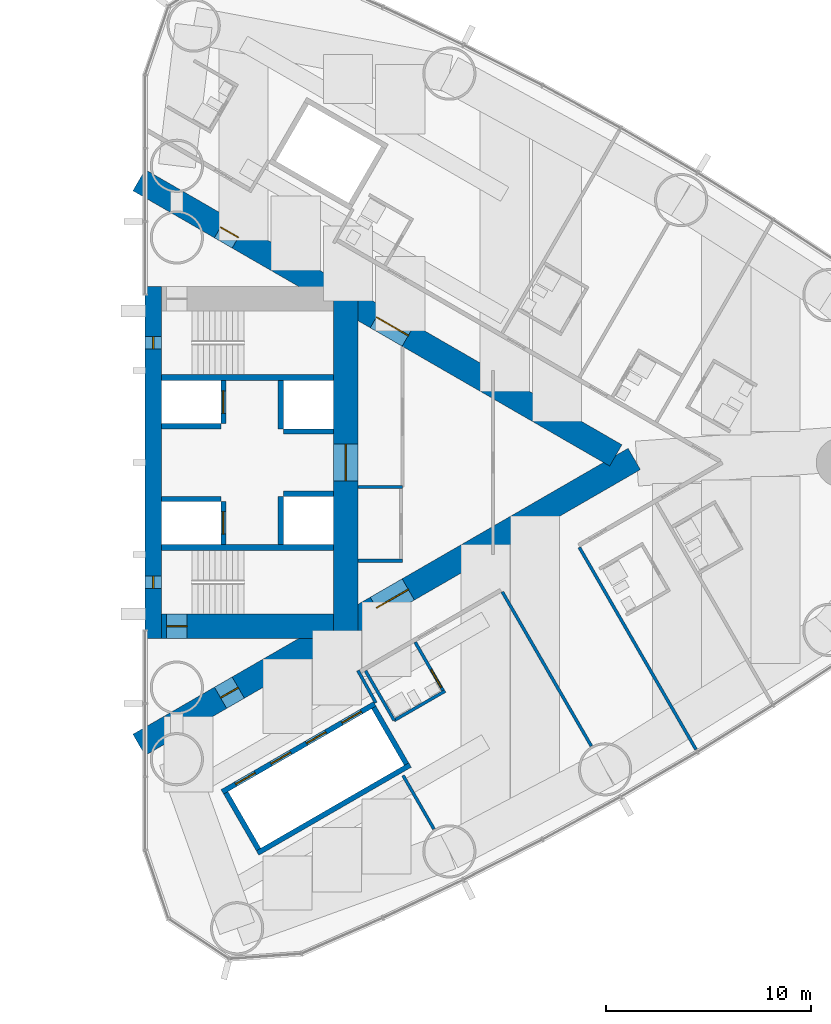
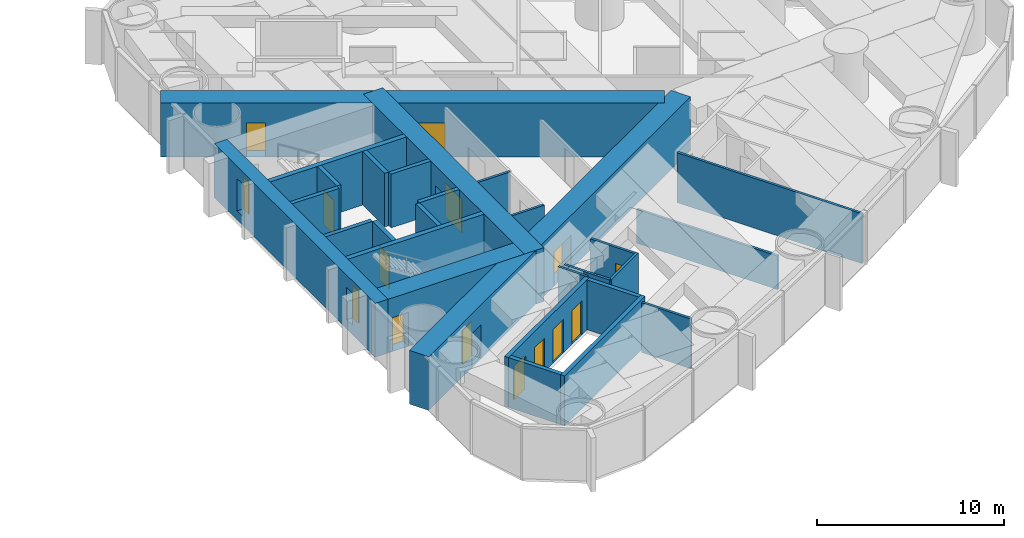
# One storey, part 13 of 18: 28 walls, 13 doors, 2 windows, 15 openings.
"""IFC4 building model written with IfcOpenShell, lengths in metres."""

from ifc_helpers import new_model, si_unit, direction, frame, frame_2d, origin, place, context, subcontext, project, spatial, rectangle, extrude, material, layer, layer_set, type_object, element, fill, save


model = new_model("IFC4")

# Units and contexts
model_context = context("Model", 3, precision=1e-05, world=origin(), true_north=direction((0.0, 1.0)))
body_context = subcontext(model_context, "Body", "Model", "MODEL_VIEW")
ifc_project = project(units=[si_unit("LENGTHUNIT", "METRE"), si_unit("AREAUNIT", "SQUARE_METRE"), si_unit("VOLUMEUNIT", "CUBIC_METRE"), si_unit("PLANEANGLEUNIT", "RADIAN"), si_unit("MASSUNIT", "GRAM", prefix="KILO")], contexts=[model_context])

# Site, building, storey
site_placement = place(None, origin())
site = spatial("IfcSite", under=ifc_project, at=site_placement, CompositionType="ELEMENT")
building_placement = place(site_placement, origin())
building = spatial("IfcBuilding", under=site, at=building_placement, Name="Lancet Gate Hotel", CompositionType="ELEMENT")
storey_placement = place(building_placement, frame((0.0, 0.0, 108.10009765625)))
storey = spatial("IfcBuildingStorey", under=building, at=storey_placement, Name="L28", CompositionType="ELEMENT", Elevation=108.10009765625)

# Wall
ifc_material_1 = material(Name="Moisture resistant board partition")
ifc_layer_1 = layer(ifc_material_1, 0.14990234375)
ifc_layer_set_1 = layer_set([ifc_layer_1], Name="Bathroom wall 150")
wall_type_1 = type_object("IfcWallType", Name="Bathroom wall 150", PredefinedType="PARTITIONING", material=ifc_layer_set_1)
wall_1_placement = place(storey_placement, frame((39.669921875, -12.60498046875, 0.0), z_axis=(0.0, 0.0, 1.0), x_axis=(0.866018712932, 0.500011588718, 0.0)))
element("IfcWall", 1, at=wall_1_placement, inside=storey, type_object=wall_type_1, Name="T2 bathroom wall 150 L28", PredefinedType="PARTITIONING", context=body_context, shape_type="SweptSolid", body=[
    extrude(rectangle(XDim=2.875, YDim=0.14990234375, at=frame_2d((1.4375, 0.0))), origin(), (0.0, 0.0, 1.0), 3.25),
])

# Wall, opening, door
wall_2_placement = place(storey_placement, frame((40.694580078125, -8.780029296875, 0.0), z_axis=(0.0, 0.0, 1.0), x_axis=(0.500049511043, -0.865996816683, 0.0)))
wall_2 = element("IfcWall", 2, at=wall_2_placement, inside=storey, type_object=wall_type_1, Name="T2 bathroom wall 150 L28", PredefinedType="PARTITIONING", context=body_context, shape_type="SweptSolid", body=[
    extrude(rectangle(XDim=2.800048828125, YDim=0.14990234375, at=frame_2d((1.39990234375, 0.0))), origin(), (0.0, 0.0, 1.0), 3.25),
])
opening_1_placement = place(wall_2_placement, frame((1.550048828125, 0.0, 0.0)))
opening_1 = element("IfcOpeningElement", 3, at=opening_1_placement, cuts=wall_2, Name="Opening 2853-B", PredefinedType="OPENING", context=body_context, shape_type="SweptSolid", body=[
    extrude(rectangle(XDim=1.0, YDim=2.199951171875, at=frame_2d((0.5, 1.10009765625))), frame((0.0, 0.0849609375, 0.0), z_axis=(0.0, -1.0, 0.0), x_axis=(1.0, 0.0, 0.0)), (0.0, 0.0, 1.0), 0.169921875),
])
ifc_material_2 = material(Name="Timber door set", Category="wood")
door_type_1 = type_object("IfcDoorType", Name="Accessible en-suite door 1000", OperationType="SINGLE_SWING_RIGHT", PredefinedType="DOOR", material=ifc_material_2)
door_1_placement = place(opening_1_placement, origin())
door_1 = element("IfcDoor", 4, at=door_1_placement, inside=storey, type_object=door_type_1, Name="2853-B", OperationType="SINGLE_SWING_RIGHT", OverallHeight=2.199951171875, OverallWidth=1.0, PredefinedType="DOOR", context=body_context, shape_type="SweptSolid", body=[
    extrude(rectangle(XDim=1.0, YDim=2.199951171875, at=frame_2d((0.5, 1.10009765625))), frame((0.0, 0.02490234375, 0.0), z_axis=(0.0, -1.0, 0.0), x_axis=(1.0, 0.0, 0.0)), (0.0, 0.0, 1.0), 0.050048828125),
])
fill(opening_1, door_1)

# Wall
wall_3_placement = place(storey_placement, frame((38.269775390625, -10.18017578125, 0.0), z_axis=(0.0, 0.0, 1.0), x_axis=(0.500049511043, -0.865996816683, 0.0)))
element("IfcWall", 5, at=wall_3_placement, inside=storey, type_object=wall_type_1, Name="T2 bathroom wall 150 L28", PredefinedType="PARTITIONING", context=body_context, shape_type="SweptSolid", body=[
    extrude(rectangle(XDim=2.800048828125, YDim=0.14990234375, at=frame_2d((1.39990234375, 0.0))), origin(), (0.0, 0.0, 1.0), 3.25),
])

# Wall, openings, doors
ifc_material_3 = material(Name="Concrete C70/85", Category="concrete")
ifc_layer_2 = layer(ifc_material_3, 1.199951171875)
ifc_layer_set_2 = layer_set([ifc_layer_2], Name="Buttress wall 1200")
wall_type_2 = type_object("IfcWallType", Name="Buttress wall 1200", PredefinedType="SHEAR", material=ifc_layer_set_2)
wall_4_placement = place(storey_placement, frame((27.199951171875, -13.800048828125, 0.0), z_axis=(0.0, 0.0, 1.0), x_axis=(0.866027159892, 0.499996958321, 0.0)))
wall_4 = element("IfcWall", 6, at=wall_4_placement, inside=storey, type_object=wall_type_2, Name="T2 buttress wall S L28", PredefinedType="SHEAR", context=body_context, shape_type="SweptSolid", body=[
    extrude(rectangle(XDim=27.946533203125, YDim=1.199951171875, at=frame_2d((13.97314453125, 0.0))), origin(), (0.0, 0.0, 1.0), 3.5),
])
opening_2_placement = place(wall_4_placement, frame((4.60009765625, 0.0, 0.0)))
opening_2 = element("IfcOpeningElement", 7, at=opening_2_placement, cuts=wall_4, Name="Opening T2-L28-LS", PredefinedType="OPENING", context=body_context, shape_type="SweptSolid", body=[
    extrude(rectangle(XDim=1.0, YDim=2.199951171875, at=frame_2d((0.5, 1.10009765625))), frame((0.0, 0.60986328125, 0.0), z_axis=(0.0, -1.0, 0.0), x_axis=(1.0, 0.0, 0.0)), (0.0, 0.0, 1.0), 1.219970703125),
])
opening_3_placement = place(wall_4_placement, frame((13.39453125, 0.0, 0.0)))
opening_3 = element("IfcOpeningElement", 8, at=opening_3_placement, cuts=wall_4, Name="Opening T2-L28-LHS", PredefinedType="OPENING", context=body_context, shape_type="SweptSolid", body=[
    extrude(rectangle(XDim=1.800048828125, YDim=2.199951171875, at=frame_2d((0.89990234375, 1.10009765625))), frame((0.0, 0.60986328125, 0.0), z_axis=(0.0, -1.0, 0.0), x_axis=(1.0, 0.0, 0.0)), (0.0, 0.0, 1.0), 1.219970703125),
])
ifc_material_4 = material(Name="Timber door set", Category="wood")
door_type_2 = type_object("IfcDoorType", Name="Lobby double door 1800", OperationType="DOUBLE_DOOR_SINGLE_SWING", PredefinedType="DOOR", material=ifc_material_4)
door_2_placement = place(opening_3_placement, origin())
door_2 = element("IfcDoor", 9, at=door_2_placement, inside=storey, type_object=door_type_2, Name="T2-L28-LHS", OperationType="DOUBLE_DOOR_SINGLE_SWING", OverallHeight=2.199951171875, OverallWidth=1.800048828125, PredefinedType="DOOR", context=body_context, shape_type="SweptSolid", body=[
    extrude(rectangle(XDim=1.800048828125, YDim=2.199951171875, at=frame_2d((0.89990234375, 1.10009765625))), frame((0.0, 0.02490234375, 0.0), z_axis=(0.0, -1.0, 0.0), x_axis=(1.0, 0.0, 0.0)), (0.0, 0.0, 1.0), 0.050048828125),
])
fill(opening_3, door_2)
ifc_material_5 = material(Name="Timber door set", Category="wood")
door_type_3 = type_object("IfcDoorType", Name="Stair lobby door 1000", OperationType="SINGLE_SWING_LEFT", PredefinedType="DOOR", material=ifc_material_5)
door_3_placement = place(opening_2_placement, origin())
door_3 = element("IfcDoor", 10, at=door_3_placement, inside=storey, type_object=door_type_3, Name="T2-L28-LS", OperationType="SINGLE_SWING_LEFT", OverallHeight=2.199951171875, OverallWidth=1.0, PredefinedType="DOOR", context=body_context, shape_type="SweptSolid", body=[
    extrude(rectangle(XDim=1.0, YDim=2.199951171875, at=frame_2d((0.5, 1.10009765625))), frame((0.0, 0.02490234375, 0.0), z_axis=(0.0, -1.0, 0.0), x_axis=(1.0, 0.0, 0.0)), (0.0, 0.0, 1.0), 0.050048828125),
])
fill(opening_2, door_3)

wall_5_placement = place(storey_placement, frame((27.199951171875, 13.800048828125, 0.0), z_axis=(0.0, 0.0, 1.0), x_axis=(0.866024515034, -0.500001539357, 0.0)))
wall_5 = element("IfcWall", 11, at=wall_5_placement, inside=storey, type_object=wall_type_2, Name="T2 buttress wall N L28", PredefinedType="SHEAR", context=body_context, shape_type="SweptSolid", body=[
    extrude(rectangle(XDim=26.9072265625, YDim=1.199951171875, at=frame_2d((13.45361328125, 0.0))), origin(), (0.0, 0.0, 1.0), 3.5),
])
opening_4_placement = place(wall_5_placement, frame((4.60009765625, 0.0, 0.0)))
opening_4 = element("IfcOpeningElement", 12, at=opening_4_placement, cuts=wall_5, Name="Opening T2-L28-LN", PredefinedType="OPENING", context=body_context, shape_type="SweptSolid", body=[
    extrude(rectangle(XDim=1.0, YDim=2.199951171875, at=frame_2d((0.5, 1.10009765625))), frame((0.0, 0.60986328125, 0.0), z_axis=(0.0, -1.0, 0.0), x_axis=(1.0, 0.0, 0.0)), (0.0, 0.0, 1.0), 1.219970703125),
])
opening_5_placement = place(wall_5_placement, frame((13.39453125, 0.0, 0.0)))
opening_5 = element("IfcOpeningElement", 13, at=opening_5_placement, cuts=wall_5, Name="Opening T2-L28-LHN", PredefinedType="OPENING", context=body_context, shape_type="SweptSolid", body=[
    extrude(rectangle(XDim=1.800048828125, YDim=2.199951171875, at=frame_2d((0.89990234375, 1.10009765625))), frame((0.0, 0.60986328125, 0.0), z_axis=(0.0, -1.0, 0.0), x_axis=(1.0, 0.0, 0.0)), (0.0, 0.0, 1.0), 1.219970703125),
])
door_4_placement = place(opening_5_placement, origin())
door_4 = element("IfcDoor", 14, at=door_4_placement, inside=storey, type_object=door_type_2, Name="T2-L28-LHN", OperationType="DOUBLE_DOOR_SINGLE_SWING", OverallHeight=2.199951171875, OverallWidth=1.800048828125, PredefinedType="DOOR", context=body_context, shape_type="SweptSolid", body=[
    extrude(rectangle(XDim=1.800048828125, YDim=2.199951171875, at=frame_2d((0.89990234375, 1.10009765625))), frame((0.0, 0.02490234375, 0.0), z_axis=(0.0, -1.0, 0.0), x_axis=(1.0, 0.0, 0.0)), (0.0, 0.0, 1.0), 0.050048828125),
])
fill(opening_5, door_4)
door_5_placement = place(opening_4_placement, origin())
door_5 = element("IfcDoor", 15, at=door_5_placement, inside=storey, type_object=door_type_3, Name="T2-L28-LN", OperationType="SINGLE_SWING_LEFT", OverallHeight=2.199951171875, OverallWidth=1.0, PredefinedType="DOOR", context=body_context, shape_type="SweptSolid", body=[
    extrude(rectangle(XDim=1.0, YDim=2.199951171875, at=frame_2d((0.5, 1.10009765625))), frame((0.0, 0.02490234375, 0.0), z_axis=(0.0, -1.0, 0.0), x_axis=(1.0, 0.0, 0.0)), (0.0, 0.0, 1.0), 0.050048828125),
])
fill(opening_4, door_5)

# Wall, opening, door
ifc_material_6 = material(Name="Concrete C70/85", Category="concrete")
ifc_layer_3 = layer(ifc_material_6, 1.199951171875)
ifc_layer_set_3 = layer_set([ifc_layer_3], Name="Core wall 1200")
wall_type_3 = type_object("IfcWallType", Name="Core wall 1200", PredefinedType="SHEAR", material=ifc_layer_set_3)
wall_6_placement = place(storey_placement, frame((37.300048828125, -8.60009765625, 0.0), z_axis=(0.0, 0.0, 1.0), x_axis=(0.0, 1.0, 0.0)))
wall_6 = element("IfcWall", 16, at=wall_6_placement, inside=storey, type_object=wall_type_3, Name="T2 core wall back L28", PredefinedType="SHEAR", context=body_context, shape_type="SweptSolid", body=[
    extrude(rectangle(XDim=17.2001953125, YDim=1.199951171875, at=frame_2d((8.60009765625, 0.0))), origin(), (0.0, 0.0, 1.0), 3.5),
])
opening_6_placement = place(wall_6_placement, frame((7.699951171875, 0.0, 0.0)))
opening_6 = element("IfcOpeningElement", 17, at=opening_6_placement, cuts=wall_6, Name="Opening T2-L28-LL", PredefinedType="OPENING", context=body_context, shape_type="SweptSolid", body=[
    extrude(rectangle(XDim=1.800048828125, YDim=2.199951171875, at=frame_2d((0.89990234375, 1.10009765625))), frame((0.0, 0.60986328125, 0.0), z_axis=(0.0, -1.0, 0.0), x_axis=(1.0, 0.0, 0.0)), (0.0, 0.0, 1.0), 1.219970703125),
])
door_6_placement = place(opening_6_placement, origin())
door_6 = element("IfcDoor", 18, at=door_6_placement, inside=storey, type_object=door_type_2, Name="T2-L28-LL", OperationType="DOUBLE_DOOR_SINGLE_SWING", OverallHeight=2.199951171875, OverallWidth=1.800048828125, PredefinedType="DOOR", context=body_context, shape_type="SweptSolid", body=[
    extrude(rectangle(XDim=1.800048828125, YDim=2.199951171875, at=frame_2d((0.89990234375, 1.10009765625))), frame((0.0, 0.02490234375, 0.0), z_axis=(0.0, -1.0, 0.0), x_axis=(1.0, 0.0, 0.0)), (0.0, 0.0, 1.0), 0.050048828125),
])
fill(opening_6, door_6)

wall_7_placement = place(storey_placement, frame((28.300048828125, -8.0, 0.0), z_axis=(0.0, 0.0, 1.0), x_axis=(1.0, 0.0, 0.0)))
wall_7 = element("IfcWall", 19, at=wall_7_placement, inside=storey, type_object=wall_type_3, Name="T2 core wall side-S L28", PredefinedType="SHEAR", context=body_context, shape_type="SweptSolid", body=[
    extrude(rectangle(XDim=8.39990234375, YDim=1.199951171875, at=frame_2d((4.199951171875, 0.0))), origin(), (0.0, 0.0, 1.0), 3.5),
])
opening_7_placement = place(wall_7_placement, frame((0.25, 0.0, 0.0)))
opening_7 = element("IfcOpeningElement", 20, at=opening_7_placement, cuts=wall_7, Name="Opening T2-L28-ST1", PredefinedType="OPENING", context=body_context, shape_type="SweptSolid", body=[
    extrude(rectangle(XDim=1.0, YDim=2.199951171875, at=frame_2d((0.5, 1.10009765625))), frame((0.0, 0.60986328125, 0.0), z_axis=(0.0, -1.0, 0.0), x_axis=(1.0, 0.0, 0.0)), (0.0, 0.0, 1.0), 1.219970703125),
])
ifc_material_7 = material(Name="Timber door set", Category="wood")
door_type_4 = type_object("IfcDoorType", Name="Stair door 1000", OperationType="SINGLE_SWING_RIGHT", PredefinedType="DOOR", material=ifc_material_7)
door_7_placement = place(opening_7_placement, origin())
door_7 = element("IfcDoor", 21, at=door_7_placement, inside=storey, type_object=door_type_4, Name="T2-L28-ST1", OperationType="SINGLE_SWING_RIGHT", OverallHeight=2.199951171875, OverallWidth=1.0, PredefinedType="DOOR", context=body_context, shape_type="SweptSolid", body=[
    extrude(rectangle(XDim=1.0, YDim=2.199951171875, at=frame_2d((0.5, 1.10009765625))), frame((0.0, 0.02490234375, 0.0), z_axis=(0.0, -1.0, 0.0), x_axis=(1.0, 0.0, 0.0)), (0.0, 0.0, 1.0), 0.050048828125),
])
fill(opening_7, door_7)

# Wall, openings, windows
ifc_material_8 = material(Name="Concrete C70/85", Category="concrete")
ifc_layer_4 = layer(ifc_material_8, 0.800048828125)
ifc_layer_set_4 = layer_set([ifc_layer_4], Name="Core wall 800")
wall_type_4 = type_object("IfcWallType", Name="Core wall 800", PredefinedType="SHEAR", material=ifc_layer_set_4)
wall_8_placement = place(storey_placement, frame((27.89990234375, -8.60009765625, 0.0), z_axis=(0.0, 0.0, 1.0), x_axis=(0.0, 1.0, 0.0)))
wall_8 = element("IfcWall", 22, at=wall_8_placement, inside=storey, type_object=wall_type_4, Name="T2 core wall front L28", PredefinedType="SHEAR", context=body_context, shape_type="SweptSolid", body=[
    extrude(rectangle(XDim=17.2001953125, YDim=0.800048828125, at=frame_2d((8.60009765625, 0.0))), origin(), (0.0, 0.0, 1.0), 3.5),
])
opening_8_placement = place(wall_8_placement, frame((2.449951171875, 0.0, 0.60009765625)))
opening_8 = element("IfcOpeningElement", 23, at=opening_8_placement, cuts=wall_8, Name="Opening LW1", PredefinedType="OPENING", context=body_context, shape_type="SweptSolid", body=[
    extrude(rectangle(XDim=0.60009765625, YDim=2.10009765625, at=frame_2d((0.300048828125, 1.050048828125))), frame((0.0, 0.409912109375, 0.0), z_axis=(0.0, -1.0, 0.0), x_axis=(1.0, 0.0, 0.0)), (0.0, 0.0, 1.0), 0.820068359375),
])
opening_9_placement = place(wall_8_placement, frame((14.14990234375, 0.0, 0.60009765625)))
opening_9 = element("IfcOpeningElement", 24, at=opening_9_placement, cuts=wall_8, Name="Opening LW1", PredefinedType="OPENING", context=body_context, shape_type="SweptSolid", body=[
    extrude(rectangle(XDim=0.60009765625, YDim=2.10009765625, at=frame_2d((0.300048828125, 1.050048828125))), frame((0.0, 0.409912109375, 0.0), z_axis=(0.0, -1.0, 0.0), x_axis=(1.0, 0.0, 0.0)), (0.0, 0.0, 1.0), 0.820068359375),
])
ifc_material_9 = material(Name="Fire-resisting glazed steel window", Category="steel")
window_type = type_object("IfcWindowType", Name="Lancet window 600x2100", PartitioningType="SINGLE_PANEL", PredefinedType="WINDOW", material=ifc_material_9)
window_1_placement = place(opening_8_placement, origin())
window_1 = element("IfcWindow", 25, at=window_1_placement, inside=storey, type_object=window_type, Name="T2 stair window S L28", OverallHeight=2.10009765625, OverallWidth=0.60009765625, PartitioningType="SINGLE_PANEL", PredefinedType="WINDOW", context=body_context, shape_type="SweptSolid", body=[
    extrude(rectangle(XDim=0.60009765625, YDim=2.10009765625, at=frame_2d((0.300048828125, 1.050048828125))), frame((0.0, 0.030029296875, 0.0), z_axis=(0.0, -1.0, 0.0), x_axis=(1.0, 0.0, 0.0)), (0.0, 0.0, 1.0), 0.06005859375),
])
fill(opening_8, window_1)
window_2_placement = place(opening_9_placement, origin())
window_2 = element("IfcWindow", 26, at=window_2_placement, inside=storey, type_object=window_type, Name="T2 stair window N L28", OverallHeight=2.10009765625, OverallWidth=0.60009765625, PartitioningType="SINGLE_PANEL", PredefinedType="WINDOW", context=body_context, shape_type="SweptSolid", body=[
    extrude(rectangle(XDim=0.60009765625, YDim=2.10009765625, at=frame_2d((0.300048828125, 1.050048828125))), frame((0.0, 0.030029296875, 0.0), z_axis=(0.0, -1.0, 0.0), x_axis=(1.0, 0.0, 0.0)), (0.0, 0.0, 1.0), 0.06005859375),
])
fill(opening_9, window_2)

# Wall, openings, doors
ifc_material_10 = material(Name="Gypsum board partition")
ifc_layer_5 = layer(ifc_material_10, 0.25)
ifc_layer_set_5 = layer_set([ifc_layer_5], Name="Lift shaft partition 250")
wall_type_5 = type_object("IfcWallType", Name="Lift shaft partition 250", PredefinedType="PARTITIONING", material=ifc_layer_set_5)
wall_9_placement = place(storey_placement, frame((31.2705078125, -16.09716796875, 0.0), z_axis=(0.0, 0.0, 1.0), x_axis=(0.86604045752, 0.499973925258, 0.0)))
wall_9 = element("IfcWall", 27, at=wall_9_placement, inside=storey, type_object=wall_type_5, Name="T2 lift shaft wall LR L28", PredefinedType="PARTITIONING", context=body_context, shape_type="SweptSolid", body=[
    extrude(rectangle(XDim=8.60009765625, YDim=0.25, at=frame_2d((4.300048828125, 0.0))), origin(), (0.0, 0.0, 1.0), 3.25),
])
opening_10_placement = place(wall_9_placement, frame((0.75, 0.0, 0.0)))
opening_10 = element("IfcOpeningElement", 28, at=opening_10_placement, cuts=wall_9, Name="Opening T2-LR1-L28", PredefinedType="OPENING", context=body_context, shape_type="SweptSolid", body=[
    extrude(rectangle(XDim=1.10009765625, YDim=2.199951171875, at=frame_2d((0.550048828125, 1.10009765625))), frame((0.0, 0.135009765625, 0.0), z_axis=(0.0, -1.0, 0.0), x_axis=(1.0, 0.0, 0.0)), (0.0, 0.0, 1.0), 0.27001953125),
])
opening_11_placement = place(wall_9_placement, frame((2.75, 0.0, 0.0)))
opening_11 = element("IfcOpeningElement", 29, at=opening_11_placement, cuts=wall_9, Name="Opening T2-LR2-L28", PredefinedType="OPENING", context=body_context, shape_type="SweptSolid", body=[
    extrude(rectangle(XDim=1.10009765625, YDim=2.199951171875, at=frame_2d((0.550048828125, 1.10009765625))), frame((0.0, 0.135009765625, 0.0), z_axis=(0.0, -1.0, 0.0), x_axis=(1.0, 0.0, 0.0)), (0.0, 0.0, 1.0), 0.27001953125),
])
opening_12_placement = place(wall_9_placement, frame((4.75, 0.0, 0.0)))
opening_12 = element("IfcOpeningElement", 30, at=opening_12_placement, cuts=wall_9, Name="Opening T2-LR3-L28", PredefinedType="OPENING", context=body_context, shape_type="SweptSolid", body=[
    extrude(rectangle(XDim=1.10009765625, YDim=2.199951171875, at=frame_2d((0.550048828125, 1.10009765625))), frame((0.0, 0.135009765625, 0.0), z_axis=(0.0, -1.0, 0.0), x_axis=(1.0, 0.0, 0.0)), (0.0, 0.0, 1.0), 0.27001953125),
])
opening_13_placement = place(wall_9_placement, frame((6.75, 0.0, 0.0)))
opening_13 = element("IfcOpeningElement", 31, at=opening_13_placement, cuts=wall_9, Name="Opening T2-LR4-L28", PredefinedType="OPENING", context=body_context, shape_type="SweptSolid", body=[
    extrude(rectangle(XDim=1.10009765625, YDim=2.199951171875, at=frame_2d((0.550048828125, 1.10009765625))), frame((0.0, 0.135009765625, 0.0), z_axis=(0.0, -1.0, 0.0), x_axis=(1.0, 0.0, 0.0)), (0.0, 0.0, 1.0), 0.27001953125),
])
ifc_material_11 = material(Name="Steel door set", Category="steel")
door_type_5 = type_object("IfcDoorType", Name="Lift landing door 1100", OperationType="DOUBLE_DOOR_SLIDING", PredefinedType="USERDEFINED", material=ifc_material_11)
door_8_placement = place(opening_10_placement, origin())
door_8 = element("IfcDoor", 32, at=door_8_placement, inside=storey, type_object=door_type_5, Name="T2-LR1-L28", ObjectType="LIFT LANDING DOOR", OperationType="DOUBLE_DOOR_SLIDING", OverallHeight=2.199951171875, OverallWidth=1.10009765625, PredefinedType="USERDEFINED", context=body_context, shape_type="SweptSolid", body=[
    extrude(rectangle(XDim=1.10009765625, YDim=2.199951171875, at=frame_2d((0.550048828125, 1.10009765625))), frame((0.0, 0.02490234375, 0.0), z_axis=(0.0, -1.0, 0.0), x_axis=(1.0, 0.0, 0.0)), (0.0, 0.0, 1.0), 0.050048828125),
])
fill(opening_10, door_8)
door_9_placement = place(opening_11_placement, origin())
door_9 = element("IfcDoor", 33, at=door_9_placement, inside=storey, type_object=door_type_5, Name="T2-LR2-L28", ObjectType="LIFT LANDING DOOR", OperationType="DOUBLE_DOOR_SLIDING", OverallHeight=2.199951171875, OverallWidth=1.10009765625, PredefinedType="USERDEFINED", context=body_context, shape_type="SweptSolid", body=[
    extrude(rectangle(XDim=1.10009765625, YDim=2.199951171875, at=frame_2d((0.550048828125, 1.10009765625))), frame((0.0, 0.02490234375, 0.0), z_axis=(0.0, -1.0, 0.0), x_axis=(1.0, 0.0, 0.0)), (0.0, 0.0, 1.0), 0.050048828125),
])
fill(opening_11, door_9)
door_10_placement = place(opening_12_placement, origin())
door_10 = element("IfcDoor", 34, at=door_10_placement, inside=storey, type_object=door_type_5, Name="T2-LR3-L28", ObjectType="LIFT LANDING DOOR", OperationType="DOUBLE_DOOR_SLIDING", OverallHeight=2.199951171875, OverallWidth=1.10009765625, PredefinedType="USERDEFINED", context=body_context, shape_type="SweptSolid", body=[
    extrude(rectangle(XDim=1.10009765625, YDim=2.199951171875, at=frame_2d((0.550048828125, 1.10009765625))), frame((0.0, 0.02490234375, 0.0), z_axis=(0.0, -1.0, 0.0), x_axis=(1.0, 0.0, 0.0)), (0.0, 0.0, 1.0), 0.050048828125),
])
fill(opening_12, door_10)
door_11_placement = place(opening_13_placement, origin())
door_11 = element("IfcDoor", 35, at=door_11_placement, inside=storey, type_object=door_type_5, Name="T2-LR4-L28", ObjectType="LIFT LANDING DOOR", OperationType="DOUBLE_DOOR_SLIDING", OverallHeight=2.199951171875, OverallWidth=1.10009765625, PredefinedType="USERDEFINED", context=body_context, shape_type="SweptSolid", body=[
    extrude(rectangle(XDim=1.10009765625, YDim=2.199951171875, at=frame_2d((0.550048828125, 1.10009765625))), frame((0.0, 0.02490234375, 0.0), z_axis=(0.0, -1.0, 0.0), x_axis=(1.0, 0.0, 0.0)), (0.0, 0.0, 1.0), 0.050048828125),
])
fill(opening_13, door_11)

# Walls
wall_10_placement = place(storey_placement, frame((32.99560546875, -19.085693359375, 0.0), z_axis=(0.0, 0.0, 1.0), x_axis=(0.866028165386, 0.499995216735, 0.0)))
element("IfcWall", 36, at=wall_10_placement, inside=storey, type_object=wall_type_5, Name="T2 lift shaft wall LR L28", PredefinedType="PARTITIONING", context=body_context, shape_type="SweptSolid", body=[
    extrude(rectangle(XDim=8.60009765625, YDim=0.25, at=frame_2d((4.300048828125, 0.0))), origin(), (0.0, 0.0, 1.0), 3.25),
])
for number, where, z_axis, x_axis, name in (
    (37, (31.441162109375, -16.14306640625, 0.0), (0.0, 0.0, 1.0), (0.499929347863, -0.866066190972, 0.0), "T2 lift shaft wall LR L28"),
    (38, (38.672607421875, -11.968017578125, 0.0), (0.0, 0.0, 1.0), (0.499929347863, -0.866066190972, 0.0), "T2 lift shaft wall LR L28"),
):
    element("IfcWall", number, at=place(storey_placement, frame(where, z_axis=z_axis, x_axis=x_axis)), inside=storey, type_object=wall_type_5, Name=name, PredefinedType="PARTITIONING", context=body_context, shape_type="SweptSolid", body=[
        extrude(rectangle(XDim=3.20068359375, YDim=0.25, at=frame_2d((1.600341796875, 0.0))), origin(), (0.0, 0.0, 1.0), 3.25),
    ])

# Wall, opening, door
ifc_material_12 = material(Name="Concrete C50/60", Category="concrete")
ifc_layer_6 = layer(ifc_material_12, 0.25)
ifc_layer_set_6 = layer_set([ifc_layer_6], Name="Lift shaft wall 250")
wall_type_6 = type_object("IfcWallType", Name="Lift shaft wall 250", PredefinedType="SHEAR", material=ifc_layer_set_6)
wall_11_placement = place(storey_placement, frame((31.324951171875, -4.0, 0.0), z_axis=(0.0, 0.0, 1.0), x_axis=(0.0, 1.0, 0.0)))
wall_11 = element("IfcWall", 39, at=wall_11_placement, inside=storey, type_object=wall_type_6, Name="T2 core wall row1-S L28", PredefinedType="SHEAR", context=body_context, shape_type="SweptSolid", body=[
    extrude(rectangle(XDim=2.10009765625, YDim=0.25, at=frame_2d((1.050048828125, 0.0))), origin(), (0.0, 0.0, 1.0), 3.5),
])
opening_14_placement = place(wall_11_placement, frame((0.5, 0.0, 0.0)))
opening_14 = element("IfcOpeningElement", 40, at=opening_14_placement, cuts=wall_11, Name="Opening T2-SL1-L28", PredefinedType="OPENING", context=body_context, shape_type="SweptSolid", body=[
    extrude(rectangle(XDim=1.10009765625, YDim=2.199951171875, at=frame_2d((0.550048828125, 1.10009765625))), frame((0.0, 0.135009765625, 0.0), z_axis=(0.0, -1.0, 0.0), x_axis=(1.0, 0.0, 0.0)), (0.0, 0.0, 1.0), 0.27001953125),
])
ifc_material_13 = material(Name="Timber door set", Category="wood")
door_type_6 = type_object("IfcDoorType", Name="Service lift landing door 1100", OperationType="SLIDING_TO_LEFT", PredefinedType="USERDEFINED", material=ifc_material_13)
door_12_placement = place(opening_14_placement, origin())
door_12 = element("IfcDoor", 41, at=door_12_placement, inside=storey, type_object=door_type_6, Name="T2-SL1-L28", ObjectType="LIFT LANDING DOOR", OperationType="SLIDING_TO_LEFT", OverallHeight=2.199951171875, OverallWidth=1.10009765625, PredefinedType="USERDEFINED", context=body_context, shape_type="SweptSolid", body=[
    extrude(rectangle(XDim=1.10009765625, YDim=2.199951171875, at=frame_2d((0.550048828125, 1.10009765625))), frame((0.0, 0.02490234375, 0.0), z_axis=(0.0, -1.0, 0.0), x_axis=(1.0, 0.0, 0.0)), (0.0, 0.0, 1.0), 0.050048828125),
])
fill(opening_14, door_12)

# Walls
wall_12_placement = place(storey_placement, frame((34.125, -4.0, 0.0), z_axis=(0.0, 0.0, 1.0), x_axis=(0.0, 1.0, 0.0)))
element("IfcWall", 42, at=wall_12_placement, inside=storey, type_object=wall_type_6, Name="T2 core wall row2-S L28", PredefinedType="SHEAR", context=body_context, shape_type="SweptSolid", body=[
    extrude(rectangle(XDim=2.35009765625, YDim=0.25, at=frame_2d((1.175048828125, 0.0))), origin(), (0.0, 0.0, 1.0), 3.5),
])
wall_13_placement = place(storey_placement, frame((28.300048828125, -1.77490234375, 0.0), z_axis=(0.0, 0.0, 1.0), x_axis=(1.0, 0.0, 0.0)))
element("IfcWall", 43, at=wall_13_placement, inside=storey, type_object=wall_type_6, Name="T2 core wall pass1-S L28", PredefinedType="SHEAR", context=body_context, shape_type="SweptSolid", body=[
    extrude(rectangle(XDim=2.89990234375, YDim=0.25, at=frame_2d((1.449951171875, 0.0))), origin(), (0.0, 0.0, 1.0), 3.5),
])
wall_14_placement = place(storey_placement, frame((34.25, -1.52490234375, 0.0), z_axis=(0.0, 0.0, 1.0), x_axis=(1.0, 0.0, 0.0)))
element("IfcWall", 44, at=wall_14_placement, inside=storey, type_object=wall_type_6, Name="T2 core wall pass2-S L28", PredefinedType="SHEAR", context=body_context, shape_type="SweptSolid", body=[
    extrude(rectangle(XDim=2.449951171875, YDim=0.25, at=frame_2d((1.22509765625, 0.0))), origin(), (0.0, 0.0, 1.0), 3.5),
])

# Wall, opening, door
wall_15_placement = place(storey_placement, frame((31.324951171875, 1.89990234375, 0.0), z_axis=(0.0, 0.0, 1.0), x_axis=(0.0, 1.0, 0.0)))
wall_15 = element("IfcWall", 45, at=wall_15_placement, inside=storey, type_object=wall_type_6, Name="T2 core wall row1-N L28", PredefinedType="SHEAR", context=body_context, shape_type="SweptSolid", body=[
    extrude(rectangle(XDim=2.10009765625, YDim=0.25, at=frame_2d((1.050048828125, 0.0))), origin(), (0.0, 0.0, 1.0), 3.5),
])
opening_15_placement = place(wall_15_placement, frame((0.5, 0.0, 0.0)))
opening_15 = element("IfcOpeningElement", 46, at=opening_15_placement, cuts=wall_15, Name="Opening T2-FL2-L28", PredefinedType="OPENING", context=body_context, shape_type="SweptSolid", body=[
    extrude(rectangle(XDim=1.10009765625, YDim=2.199951171875, at=frame_2d((0.550048828125, 1.10009765625))), frame((0.0, 0.135009765625, 0.0), z_axis=(0.0, -1.0, 0.0), x_axis=(1.0, 0.0, 0.0)), (0.0, 0.0, 1.0), 0.27001953125),
])
ifc_material_14 = material(Name="Steel door set", Category="steel")
door_type_7 = type_object("IfcDoorType", Name="Firefighting lift landing door 1100", OperationType="SLIDING_TO_LEFT", PredefinedType="USERDEFINED", material=ifc_material_14)
door_13_placement = place(opening_15_placement, origin())
door_13 = element("IfcDoor", 47, at=door_13_placement, inside=storey, type_object=door_type_7, Name="T2-FL2-L28", ObjectType="LIFT LANDING DOOR", OperationType="SLIDING_TO_LEFT", OverallHeight=2.199951171875, OverallWidth=1.10009765625, PredefinedType="USERDEFINED", context=body_context, shape_type="SweptSolid", body=[
    extrude(rectangle(XDim=1.10009765625, YDim=2.199951171875, at=frame_2d((0.550048828125, 1.10009765625))), frame((0.0, 0.02490234375, 0.0), z_axis=(0.0, -1.0, 0.0), x_axis=(1.0, 0.0, 0.0)), (0.0, 0.0, 1.0), 0.050048828125),
])
fill(opening_15, door_13)

# Walls
wall_16_placement = place(storey_placement, frame((34.125, 1.64990234375, 0.0), z_axis=(0.0, 0.0, 1.0), x_axis=(0.0, 1.0, 0.0)))
element("IfcWall", 48, at=wall_16_placement, inside=storey, type_object=wall_type_6, Name="T2 core wall row2-N L28", PredefinedType="SHEAR", context=body_context, shape_type="SweptSolid", body=[
    extrude(rectangle(XDim=2.35009765625, YDim=0.25, at=frame_2d((1.175048828125, 0.0))), origin(), (0.0, 0.0, 1.0), 3.5),
])
wall_17_placement = place(storey_placement, frame((28.300048828125, 1.77490234375, 0.0), z_axis=(0.0, 0.0, 1.0), x_axis=(1.0, 0.0, 0.0)))
element("IfcWall", 49, at=wall_17_placement, inside=storey, type_object=wall_type_6, Name="T2 core wall pass1-N L28", PredefinedType="SHEAR", context=body_context, shape_type="SweptSolid", body=[
    extrude(rectangle(XDim=2.89990234375, YDim=0.25, at=frame_2d((1.449951171875, 0.0))), origin(), (0.0, 0.0, 1.0), 3.5),
])
wall_18_placement = place(storey_placement, frame((34.25, 1.52490234375, 0.0), z_axis=(0.0, 0.0, 1.0), x_axis=(1.0, 0.0, 0.0)))
element("IfcWall", 50, at=wall_18_placement, inside=storey, type_object=wall_type_6, Name="T2 core wall pass2-N L28", PredefinedType="SHEAR", context=body_context, shape_type="SweptSolid", body=[
    extrude(rectangle(XDim=2.449951171875, YDim=0.25, at=frame_2d((1.22509765625, 0.0))), origin(), (0.0, 0.0, 1.0), 3.5),
])
ifc_material_15 = material(Name="Gypsum board partition")
ifc_layer_7 = layer(ifc_material_15, 0.14990234375)
ifc_layer_set_7 = layer_set([ifc_layer_7], Name="Party wall 150")
wall_type_7 = type_object("IfcWallType", Name="Party wall 150", PredefinedType="PARTITIONING", material=ifc_layer_set_7)
wall_19_placement = place(storey_placement, frame((44.95361328125, -6.3212890625, 0.0), z_axis=(0.0, 0.0, 1.0), x_axis=(0.500018676722, -0.866014620505, 0.0)))
element("IfcWall", 51, at=wall_19_placement, inside=storey, type_object=wall_type_7, Name="T2 party wall 150 L28", PredefinedType="PARTITIONING", context=body_context, shape_type="SweptSolid", body=[
    extrude(rectangle(XDim=8.703857421875, YDim=0.14990234375, at=frame_2d((4.35205078125, 0.0))), origin(), (0.0, 0.0, 1.0), 2.199951171875),
])
wall_20_placement = place(storey_placement, frame((48.718505859375, -4.1474609375, 0.0), z_axis=(0.0, 0.0, 1.0), x_axis=(0.499990498062, -0.866030889661, 0.0)))
element("IfcWall", 52, at=wall_20_placement, inside=storey, type_object=wall_type_7, Name="T2 party wall 150 L28", PredefinedType="PARTITIONING", context=body_context, shape_type="SweptSolid", body=[
    extrude(rectangle(XDim=11.406005859375, YDim=0.14990234375, at=frame_2d((5.703125, 0.0))), origin(), (0.0, 0.0, 1.0), 3.25),
])
wall_21_placement = place(storey_placement, frame((40.10546875, -15.298583984375, 0.0), z_axis=(0.0, 0.0, 1.0), x_axis=(0.499978822259, -0.866037630414, 0.0)))
element("IfcWall", 53, at=wall_21_placement, inside=storey, type_object=wall_type_7, Name="T2 party wall 150 L28", PredefinedType="PARTITIONING", context=body_context, shape_type="SweptSolid", body=[
    extrude(rectangle(XDim=3.022705078125, YDim=0.14990234375, at=frame_2d((1.51123046875, 0.0))), origin(), (0.0, 0.0, 1.0), 3.25),
])
ifc_material_16 = material(Name="Gypsum board partition")
ifc_layer_8 = layer(ifc_material_16, 0.14990234375)
ifc_layer_set_8 = layer_set([ifc_layer_8], Name="Service room wall 150")
wall_type_8 = type_object("IfcWallType", Name="Service room wall 150", PredefinedType="PARTITIONING", material=ifc_layer_set_8)
wall_22_placement = place(storey_placement, frame((38.7734375, -11.742431640625, 0.0), z_axis=(0.0, 0.0, 1.0), x_axis=(-0.485528096672, 0.8742210632, 0.0)))
element("IfcWall", 54, at=wall_22_placement, inside=storey, type_object=wall_type_8, Name="T2 service room wall 150 L28", PredefinedType="PARTITIONING", context=body_context, shape_type="SweptSolid", body=[
    extrude(rectangle(XDim=1.80517578125, YDim=0.14990234375, at=frame_2d((0.902587890625, 0.0))), origin(), (0.0, 0.0, 1.0), 3.25),
])
for number, where, z_axis, x_axis, name in (
    (55, (37.89990234375, -1.199951171875, 0.0), (0.0, 0.0, 1.0), (1.0, 0.0, 0.0), "T2 service room wall 150 L28"),
    (56, (37.89990234375, -4.800048828125, 0.0), (0.0, 0.0, 1.0), (1.0, 0.0, 0.0), "T2 service room wall 150 L28"),
):
    element("IfcWall", number, at=place(storey_placement, frame(where, z_axis=z_axis, x_axis=x_axis)), inside=storey, type_object=wall_type_8, Name=name, PredefinedType="PARTITIONING", context=body_context, shape_type="SweptSolid", body=[
        extrude(rectangle(XDim=2.175048828125, YDim=0.14990234375, at=frame_2d((1.08740234375, 0.0))), origin(), (0.0, 0.0, 1.0), 3.25),
    ])
ifc_material_17 = material(Name="Concrete C50/60", Category="concrete")
ifc_layer_9 = layer(ifc_material_17, 0.300048828125)
ifc_layer_set_9 = layer_set([ifc_layer_9], Name="Stair enclosure wall 300")
wall_type_9 = type_object("IfcWallType", Name="Stair enclosure wall 300", PredefinedType="SHEAR", material=ifc_layer_set_9)
for number, where, z_axis, x_axis, name in (
    (57, (28.300048828125, -4.14990234375, 0.0), (0.0, 0.0, 1.0), (1.0, 0.0, 0.0), "T2 core wall stair-S L28"),
    (58, (28.300048828125, 4.14990234375, 0.0), (0.0, 0.0, 1.0), (1.0, 0.0, 0.0), "T2 core wall stair-N L28"),
):
    element("IfcWall", number, at=place(storey_placement, frame(where, z_axis=z_axis, x_axis=x_axis)), inside=storey, type_object=wall_type_9, Name=name, PredefinedType="SHEAR", context=body_context, shape_type="SweptSolid", body=[
        extrude(rectangle(XDim=8.39990234375, YDim=0.300048828125, at=frame_2d((4.199951171875, 0.0))), origin(), (0.0, 0.0, 1.0), 3.5),
    ])

save(model, "model.ifc")
